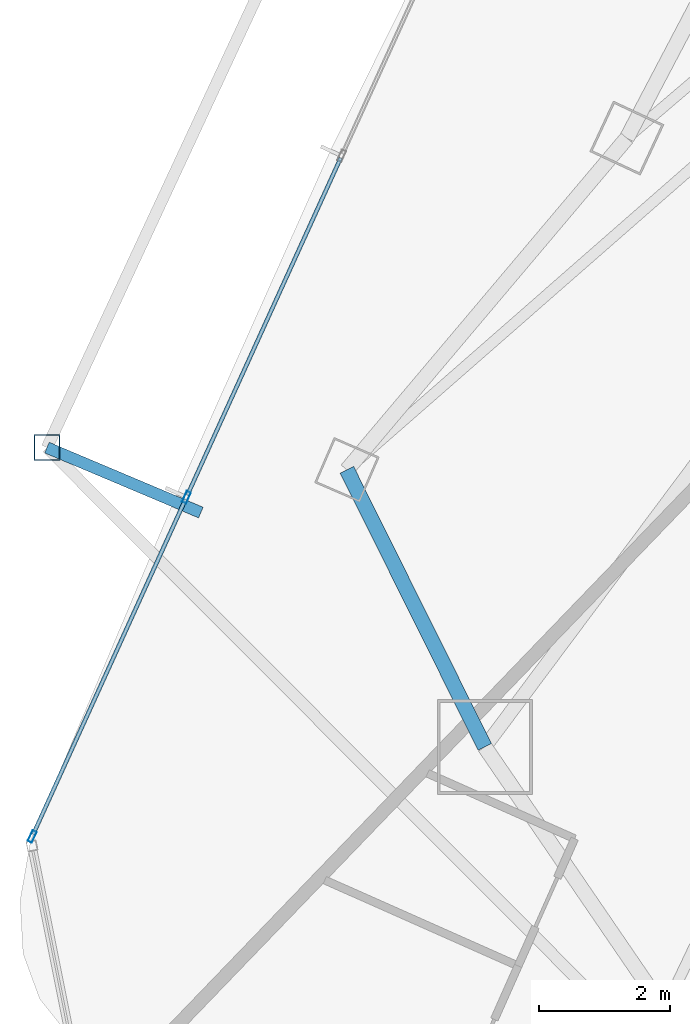
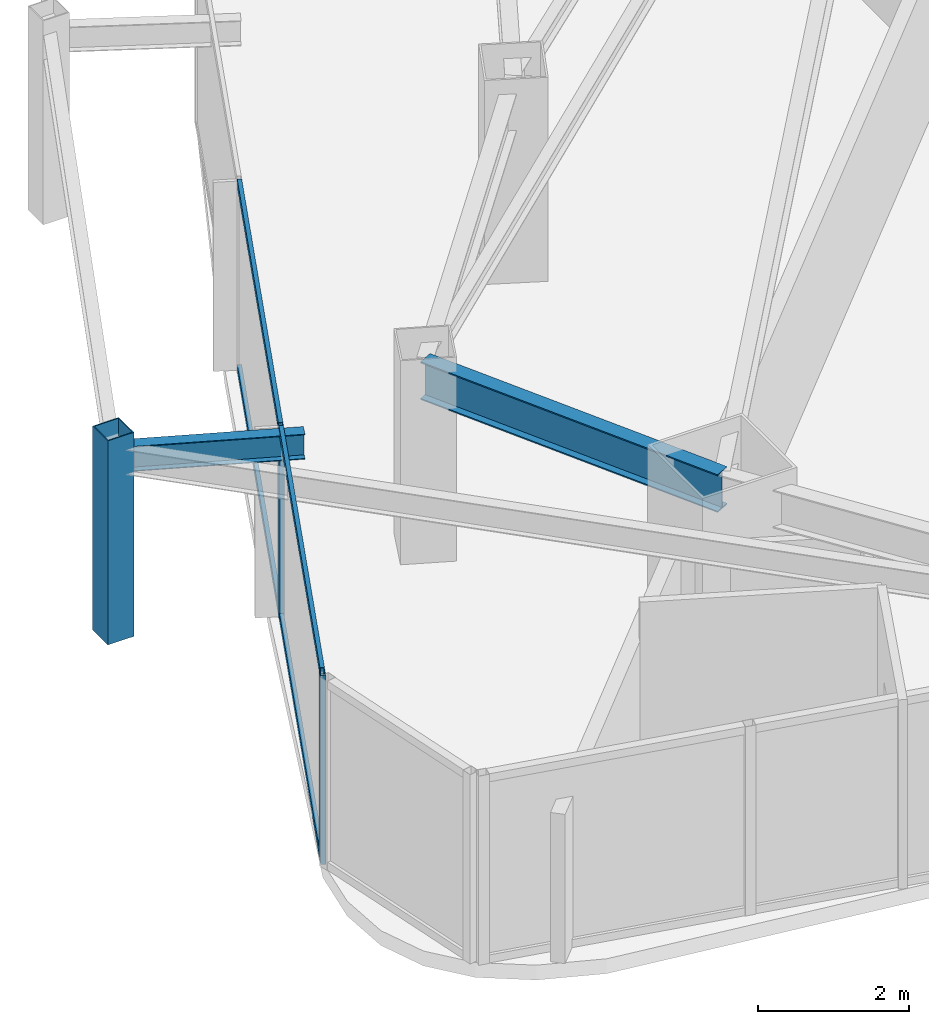
# One storey, part 4 of 31: 7 members, 2 beams, 1 element without a shape of its own.
"""IFC4 building model written with IfcOpenShell, lengths in metres."""

import ifcopenshell
import ifcopenshell.guid

model = None  # the IFC model being written
_history = None  # IfcOwnerHistory: only IFC2X3 demands one
_inside = {}  # id of a spatial element -> (the spatial element, [elements in it])
_under = {}  # id of a project, library or spatial element -> (it, [spatial elements below it])
_declared = {}  # id of a project -> (the project, [libraries it declares])
_typed = {}  # id of a type object -> (the type object, [elements of that type])
_made_of = {}  # id of a material, layer set ... -> (it, [elements and type objects made of it])


def new_model(schema):
    """Start an empty IFC model of exactly this schema.

    Asked for "IFC4X3", IfcOpenShell would pick the latest addendum, in which some entities
    have other attributes; the version numbers below select the first issue.
    IFC2X3 requires an IfcOwnerHistory on every rooted entity: one is made here for all.
    """
    global model, _history
    if schema == "IFC4X3":
        model = ifcopenshell.file(schema_version=(4, 3, 0, 0))
    else:
        model = ifcopenshell.file(schema=schema)
    _inside.clear()
    _under.clear()
    _declared.clear()
    _typed.clear()
    _made_of.clear()
    _history = None
    if model.schema == "IFC2X3":
        org = make("IfcOrganization", Name="unknown")
        user = make(
            "IfcPersonAndOrganization",
            ThePerson=make("IfcPerson", FamilyName="unknown"),
            TheOrganization=org,
        )
        app = make(
            "IfcApplication",
            ApplicationDeveloper=org,
            Version="unknown",
            ApplicationFullName="unknown",
            ApplicationIdentifier="unknown",
        )
        _history = make(
            "IfcOwnerHistory",
            OwningUser=user,
            OwningApplication=app,
            ChangeAction="ADDED",
            CreationDate=0,
        )
    return model


def make(cls, **values):
    """One entity of the class cls with the attributes given. An attribute that is None is left unset."""
    return model.create_entity(
        cls, **{name: value for name, value in values.items() if value is not None}
    )


def rooted(cls, **values):
    """An entity with a GlobalId (a new one), such as an element, a storey or a relation."""
    return make(cls, GlobalId=ifcopenshell.guid.new(), OwnerHistory=_history, **values)


def si_unit(unit_type, name, prefix=None):
    """IfcSIUnit, for example si_unit("LENGTHUNIT", "METRE", prefix="MILLI")."""
    return make("IfcSIUnit", UnitType=unit_type, Prefix=prefix, Name=name)


def assignment(units):
    """IfcUnitAssignment: the units of a project."""
    return None if units is None else make("IfcUnitAssignment", Units=units)


def point(xyz):
    """IfcCartesianPoint."""
    return None if xyz is None else make("IfcCartesianPoint", Coordinates=xyz)


def direction(xyz):
    """IfcDirection."""
    return None if xyz is None else make("IfcDirection", DirectionRatios=xyz)


def frame(location, z_axis=None, x_axis=None):
    """IfcAxis2Placement3D, a coordinate frame: its origin and axes. An axis left out is left unset."""
    return make(
        "IfcAxis2Placement3D",
        Location=point(location),
        Axis=direction(z_axis),
        RefDirection=direction(x_axis),
    )


def frame_2d(location, x_axis=None):
    """IfcAxis2Placement2D, a coordinate frame in the plane: its origin and x axis."""
    return make(
        "IfcAxis2Placement2D", Location=point(location), RefDirection=direction(x_axis)
    )


def origin():
    """The frame at (0, 0, 0) with its axes left unset."""
    return frame((0.0, 0.0, 0.0))


def origin_2d():
    """The frame at (0, 0) in the plane with its x axis left unset."""
    return frame_2d((0.0, 0.0))


def place(relative_to, where):
    """IfcLocalPlacement: puts the frame where relative to a parent placement (None: the world)."""
    return make(
        "IfcLocalPlacement", PlacementRelTo=relative_to, RelativePlacement=where
    )


def context(
    kind, dimensions, precision=None, world=None, true_north=None, identifier=None
):
    """IfcGeometricRepresentationContext, for example the 3D "Model" context."""
    return make(
        "IfcGeometricRepresentationContext",
        ContextIdentifier=identifier,
        ContextType=kind,
        CoordinateSpaceDimension=dimensions,
        Precision=precision,
        WorldCoordinateSystem=world,
        TrueNorth=true_north,
    )


def subcontext(parent, identifier, kind, view, scale=None):
    """IfcGeometricRepresentationSubContext, for example "Body" below "Model"."""
    return make(
        "IfcGeometricRepresentationSubContext",
        ContextIdentifier=identifier,
        ContextType=kind,
        ParentContext=parent,
        TargetScale=scale,
        TargetView=view,
    )


def project(units=None, contexts=None):
    """IfcProject with its units and contexts."""
    return rooted(
        "IfcProject",
        Name="project",
        RepresentationContexts=contexts,
        UnitsInContext=assignment(units),
    )


def spatial(cls, under=None, at=None, **own):
    """A site, building, storey or space (cls), placed at a placement, below another one or the project."""
    s = rooted(cls, ObjectPlacement=at, **own)
    if under is not None:
        _under.setdefault(under.id(), (under, []))[1].append(s)
    return s


def profile(cls, at=None, kind="AREA", **sizes):
    """A parametric profile (cls). Its sizes go by their IFC names, for example OverallWidth=200.0."""
    return make(cls, ProfileType=kind, Position=at, **sizes)


def hollow_rectangle(**sizes):
    """IfcRectangleHollowProfileDef."""
    return profile("IfcRectangleHollowProfileDef", **sizes)


def i_section(**sizes):
    """IfcIShapeProfileDef."""
    return profile("IfcIShapeProfileDef", **sizes)


def extrude(swept, where, along, depth):
    """IfcExtrudedAreaSolid: the profile swept, set in the frame where, extruded along a direction by depth."""
    return make(
        "IfcExtrudedAreaSolid",
        SweptArea=swept,
        Position=where,
        ExtrudedDirection=direction(along),
        Depth=depth,
    )


def shape(context_of_items, identifier, shape_type, items):
    """IfcShapeRepresentation: the items that make up one representation, for example the "Body"."""
    return make(
        "IfcShapeRepresentation",
        ContextOfItems=context_of_items,
        RepresentationIdentifier=identifier,
        RepresentationType=shape_type,
        Items=items,
    )


def material(Name=None, Category=None):
    """IfcMaterial."""
    return make("IfcMaterial", Name=Name, Category=Category)


def layer(
    of_material, thickness, ventilated=None, Name=None, Category=None, Priority=None
):
    """IfcMaterialLayer: one layer of a wall or slab, of a material (None: an air gap)."""
    return make(
        "IfcMaterialLayer",
        Material=of_material,
        LayerThickness=thickness,
        IsVentilated=ventilated,
        Name=Name,
        Category=Category,
        Priority=Priority,
    )


def layer_set(layers, Name=None):
    """IfcMaterialLayerSet."""
    return make("IfcMaterialLayerSet", MaterialLayers=layers, LayerSetName=Name)


def material_profile(
    of_material, cross_section, Name=None, Category=None, Priority=None
):
    """IfcMaterialProfile: a cross section and its material."""
    return make(
        "IfcMaterialProfile",
        Name=Name,
        Material=of_material,
        Profile=cross_section,
        Priority=Priority,
        Category=Category,
    )


def profile_set(profiles, Name=None, composite=None):
    """IfcMaterialProfileSet."""
    return make(
        "IfcMaterialProfileSet",
        Name=Name,
        MaterialProfiles=profiles,
        CompositeProfile=composite,
    )


def made_of(thing, what):
    """Note that an element or type object is made of a material, layer set ...; save() writes the relation."""
    if what is not None:
        _made_of.setdefault(what.id(), (what, []))[1].append(thing)
    return thing


def type_object(cls, material=None, **own):
    """A type object (cls), such as IfcWallType, which elements share."""
    return made_of(rooted(cls, **own), material)


def element(
    cls,
    number,
    at=None,
    inside=None,
    cuts=None,
    type_object=None,
    material=None,
    context=None,
    identifier="Body",
    shape_type=None,
    held_by="IfcProductDefinitionShape",
    body=None,
    shapes=None,
    **own,
):
    """One element of the class cls, such as IfcWall. Its Tag is "e" and its number.

    at: its placement. inside: the storey or other place that contains it. cuts: it is an
    opening in that element (IfcRelVoidsElement). A single representation is given by context,
    identifier, shape_type and body (its items); several are given by shapes. held_by: the class
    of the entity that holds the representations. save() writes the other relations.
    """
    e = rooted(cls, Tag="e%d" % number, ObjectPlacement=at, **own)
    if body is not None:
        shapes = [shape(context, identifier, shape_type, body)]
    if shapes is not None:
        e.Representation = make(held_by, Representations=shapes)
    if inside is not None:
        _inside.setdefault(inside.id(), (inside, []))[1].append(e)
    if cuts is not None:
        rooted(
            "IfcRelVoidsElement", RelatingBuildingElement=cuts, RelatedOpeningElement=e
        )
    if type_object is not None:
        _typed.setdefault(type_object.id(), (type_object, []))[1].append(e)
    return made_of(e, material)


def aggregate(whole, parts):
    """IfcRelAggregates: a whole, such as a stair, and the parts it consists of."""
    return rooted("IfcRelAggregates", RelatingObject=whole, RelatedObjects=parts)


def save(model, path):
    """Write the relations noted so far, then the file.

    IfcRelAggregates (storeys below a building ...), IfcRelContainedInSpatialStructure (elements
    in a storey), IfcRelDefinesByType, IfcRelAssociatesMaterial and IfcRelDeclares: one each for
    every whole, place, type object, material and project.
    """
    for whole, parts in _under.values():
        aggregate(whole, parts)
    for where, things in _inside.values():
        rooted(
            "IfcRelContainedInSpatialStructure",
            RelatedElements=things,
            RelatingStructure=where,
        )
    for kind, things in _typed.values():
        rooted("IfcRelDefinesByType", RelatedObjects=things, RelatingType=kind)
    for what, things in _made_of.values():
        rooted("IfcRelAssociatesMaterial", RelatedObjects=things, RelatingMaterial=what)
    for by, libraries in _declared.values():
        rooted("IfcRelDeclares", RelatingContext=by, RelatedDefinitions=libraries)
    model.write(path)


model = new_model("IFC4")

# Units and contexts
model_context = context("Model", 3, precision=1e-05, world=origin(), true_north=direction((0.0, 1.0)))
body_context = subcontext(model_context, "Body", "Model", "MODEL_VIEW")
ifc_project = project(units=[si_unit("LENGTHUNIT", "METRE"), si_unit("AREAUNIT", "SQUARE_METRE"), si_unit("VOLUMEUNIT", "CUBIC_METRE"), si_unit("PLANEANGLEUNIT", "RADIAN"), si_unit("MASSUNIT", "GRAM", prefix="KILO")], contexts=[model_context])

# Site, building, storey
site_placement = place(None, origin())
site = spatial("IfcSite", under=ifc_project, at=site_placement, CompositionType="ELEMENT")
building_placement = place(site_placement, origin())
building = spatial("IfcBuilding", under=site, at=building_placement, Name="Orvanel Arch Residences", CompositionType="ELEMENT")
storey_placement = place(building_placement, frame((0.0, 0.0, 129.800048828125)))
storey = spatial("IfcBuildingStorey", under=building, at=storey_placement, Name="L36", CompositionType="ELEMENT", Elevation=129.800048828125)

# Curtain wall, members
ifc_material_1 = material(Name="Bronze-anodised aluminium AA6063-T6", Category="aluminium")
ifc_layer = layer(ifc_material_1, 0.179931640625)
ifc_layer_set = layer_set([ifc_layer], Name="Bronze-anodised aluminium AA6063-T6")
curtain_wall_type = type_object("IfcCurtainWallType", Name="CW3-MID-SYS", PredefinedType="NOTDEFINED", material=ifc_layer_set)
curtain_wall_placement = place(storey_placement, origin())
curtain_wall = element("IfcCurtainWall", 1, at=curtain_wall_placement, inside=storey, type_object=curtain_wall_type, Name="L36 CW3-MID-SYS Unitised Curtain Wall", PredefinedType="NOTDEFINED")
ifc_material_profile_1 = material_profile(ifc_material_1, hollow_rectangle(XDim=0.070068359375, YDim=0.179931640625, WallThickness=0.00439453125, at=origin_2d()), Name="ALU180x70x4.5")
ifc_profile_set_1 = profile_set([ifc_material_profile_1], Name="Bronze-anodised aluminium AA6063-T6")
member_type_1 = type_object("IfcMemberType", Name="MUL-180x70", PredefinedType="MULLION", material=ifc_profile_set_1)
member_1_placement = place(storey_placement, frame((9.645751953125, 14.16162109375, 0.0), z_axis=(0.0, 0.0, 1.0), x_axis=(0.91032458365, -0.413895098306, 0.0)))
member_1 = element("IfcMember", 2, at=member_1_placement, type_object=member_type_1, Name="CW-S3 mullion 3", PredefinedType="MULLION", context=body_context, shape_type="SweptSolid", body=[
    extrude(hollow_rectangle(XDim=0.070068359375, YDim=0.179931640625, WallThickness=0.00439453125, at=origin_2d()), origin(), (0.0, 0.0, 1.0), 3.06005859375),
])
member_2_placement = place(storey_placement, frame((7.29150390625, 8.98388671875, 0.0), z_axis=(0.0, 0.0, 1.0), x_axis=(0.91032458365, -0.413895098306, 0.0)))
member_2 = element("IfcMember", 3, at=member_2_placement, type_object=member_type_1, Name="CW-S3 mullion 4", PredefinedType="MULLION", context=body_context, shape_type="SweptSolid", body=[
    extrude(hollow_rectangle(XDim=0.070068359375, YDim=0.179931640625, WallThickness=0.00439453125, at=origin_2d()), origin(), (0.0, 0.0, 1.0), 3.06005859375),
])

# Beams
ifc_material_2 = material(Name="Structural steel AS/NZS 3679.1 Grade 300 (300 MPa)", Category="steel")
ifc_material_profile_2 = material_profile(ifc_material_2, i_section(OverallWidth=0.177978515625, OverallDepth=0.406005859375, WebThickness=0.0078125, FlangeThickness=0.0126953125, at=origin_2d()), Name="410UB59.7")
ifc_profile_set_2 = profile_set([ifc_material_profile_2], Name="Structural steel AS/NZS 3679.1 Grade 300 (300 MPa)")
beam_type_1 = type_object("IfcBeamType", Name="OB-410UB-EXT", PredefinedType="SPANDREL", material=ifc_profile_set_2)
beam_1_placement = place(storey_placement, frame((9.865966796875, 13.927978515625, 2.85693359375), z_axis=(-0.921359337882, 0.388711937684, 0.0), x_axis=(-0.388711937684, -0.921359337882, 0.0)))
element("IfcBeam", 4, at=beam_1_placement, inside=storey, type_object=beam_type_1, Name="L36 Outer Frame Radial Tie Beam 04", PredefinedType="SPANDREL", context=body_context, shape_type="SweptSolid", body=[
    extrude(i_section(OverallWidth=0.177978515625, OverallDepth=0.406005859375, WebThickness=0.0078125, FlangeThickness=0.0126953125, at=origin_2d()), origin(), (0.0, 0.0, 1.0), 2.54931640625),
])
ifc_material_profile_3 = material_profile(ifc_material_2, i_section(OverallWidth=0.22900390625, OverallDepth=0.612060546875, WebThickness=0.011962890625, FlangeThickness=0.01953125, at=origin_2d()), Name="610UB125")
ifc_profile_set_3 = profile_set([ifc_material_profile_3], Name="Structural steel AS/NZS 3679.1 Grade 300 (300 MPa)")
beam_type_2 = type_object("IfcBeamType", Name="SP-610UB", PredefinedType="SPANDREL", material=ifc_profile_set_3)
beam_2_placement = place(storey_placement, frame((12.094970703125, 14.580078125, 2.75390625), z_axis=(0.44543469453, -0.895314432425, 0.0), x_axis=(0.895314432425, 0.44543469453, 0.0)))
element("IfcBeam", 5, at=beam_2_placement, inside=storey, type_object=beam_type_2, Name="L36 Perimeter Spandrel Beam 02", PredefinedType="SPANDREL", context=body_context, shape_type="SweptSolid", body=[
    extrude(i_section(OverallWidth=0.22900390625, OverallDepth=0.612060546875, WebThickness=0.011962890625, FlangeThickness=0.01953125, at=origin_2d()), origin(), (0.0, 0.0, 1.0), 4.723388671875),
])

# Member
ifc_material_3 = material(Name="Structural steel AS/NZS 1163 C450L0 (Grade 450)", Category="steel")
ifc_material_profile_4 = material_profile(ifc_material_3, hollow_rectangle(XDim=0.39990234375, YDim=0.39990234375, WallThickness=0.01611328125, at=origin_2d()), Name="SHS400x400x16")
ifc_profile_set_4 = profile_set([ifc_material_profile_4], Name="Structural steel AS/NZS 1163 C450L0 (Grade 450)")
member_type_2 = type_object("IfcMemberType", Name="ST-400SHS-EXT", PredefinedType="STRUT", material=ifc_profile_set_4)
member_3_placement = place(storey_placement, frame((7.51708984375, 14.9189453125, 0.0), z_axis=(0.0, 0.0, 1.0), x_axis=(1.0, 0.0, 0.0)))
element("IfcMember", 6, at=member_3_placement, inside=storey, type_object=member_type_2, Name="L36 Outer Perimeter Frame Post 04", PredefinedType="STRUT", context=body_context, shape_type="SweptSolid", body=[
    extrude(hollow_rectangle(XDim=0.39990234375, YDim=0.39990234375, WallThickness=0.01611328125, at=origin_2d()), origin(), (0.0, 0.0, 1.0), 3.300048828125),
])

ifc_material_profile_5 = material_profile(ifc_material_1, hollow_rectangle(XDim=0.06005859375, YDim=0.135009765625, WallThickness=0.00390625, at=origin_2d()), Name="ALU135x60x4")
ifc_profile_set_5 = profile_set([ifc_material_profile_5], Name="Bronze-anodised aluminium AA6063-T6")
member_type_3 = type_object("IfcMemberType", Name="TRN-135x60", PredefinedType="USERDEFINED", material=ifc_profile_set_5)
member_4_placement = place(storey_placement, frame((11.999755859375, 19.33935546875, 0.030029296875), z_axis=(-0.413894056323, -0.910325057406, 0.0), x_axis=(0.910325057406, -0.413894056323, 0.0)))
member_4 = element("IfcMember", 7, at=member_4_placement, type_object=member_type_3, Name="CW-S3 transom 2.1", ObjectType="TRANSOM", PredefinedType="USERDEFINED", context=body_context, shape_type="SweptSolid", body=[
    extrude(hollow_rectangle(XDim=0.06005859375, YDim=0.135009765625, WallThickness=0.00390625, at=origin_2d()), origin(), (0.0, 0.0, 1.0), 5.652587890625),
])

member_5_placement = place(storey_placement, frame((11.999755859375, 19.33935546875, 3.030029296875), z_axis=(-0.413894056323, -0.910325057406, 0.0), x_axis=(0.910325057406, -0.413894056323, 0.0)))
member_5 = element("IfcMember", 8, at=member_5_placement, type_object=member_type_3, Name="CW-S3 transom 2.2", ObjectType="TRANSOM", PredefinedType="USERDEFINED", context=body_context, shape_type="SweptSolid", body=[
    extrude(hollow_rectangle(XDim=0.06005859375, YDim=0.135009765625, WallThickness=0.00390625, at=origin_2d()), origin(), (0.0, 0.0, 1.0), 5.652587890625),
])

member_6_placement = place(storey_placement, frame((9.631103515625, 14.1298828125, 0.030029296875), z_axis=(-0.413881521981, -0.910330756243, 0.0), x_axis=(0.910330756243, -0.413881521981, 0.0)))
member_6 = element("IfcMember", 9, at=member_6_placement, type_object=member_type_3, Name="CW-S3 transom 3.1", ObjectType="TRANSOM", PredefinedType="USERDEFINED", context=body_context, shape_type="SweptSolid", body=[
    extrude(hollow_rectangle(XDim=0.06005859375, YDim=0.135009765625, WallThickness=0.00390625, at=origin_2d()), origin(), (0.0, 0.0, 1.0), 5.617919921875),
])

member_7_placement = place(storey_placement, frame((9.631103515625, 14.1298828125, 3.030029296875), z_axis=(-0.413881521981, -0.910330756243, 0.0), x_axis=(0.910330756243, -0.413881521981, 0.0)))
member_7 = element("IfcMember", 10, at=member_7_placement, type_object=member_type_3, Name="CW-S3 transom 3.2", ObjectType="TRANSOM", PredefinedType="USERDEFINED", context=body_context, shape_type="SweptSolid", body=[
    extrude(hollow_rectangle(XDim=0.06005859375, YDim=0.135009765625, WallThickness=0.00390625, at=origin_2d()), origin(), (0.0, 0.0, 1.0), 5.617919921875),
])

aggregate(curtain_wall, [member_1, member_2, member_4, member_5, member_6, member_7])

save(model, "model.ifc")
